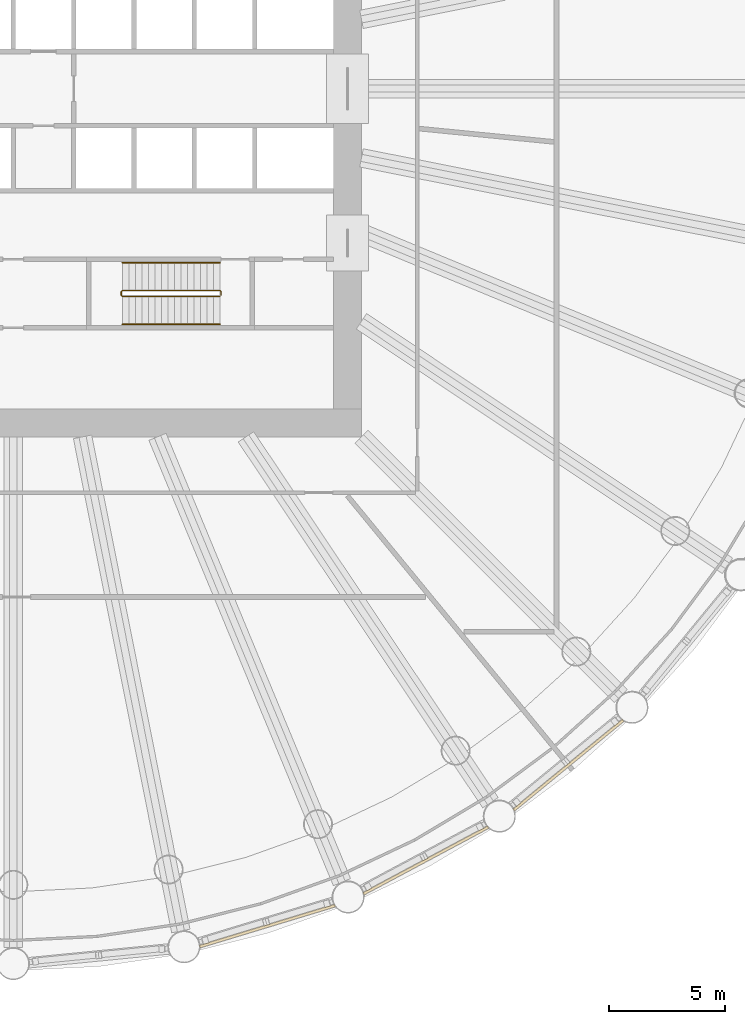
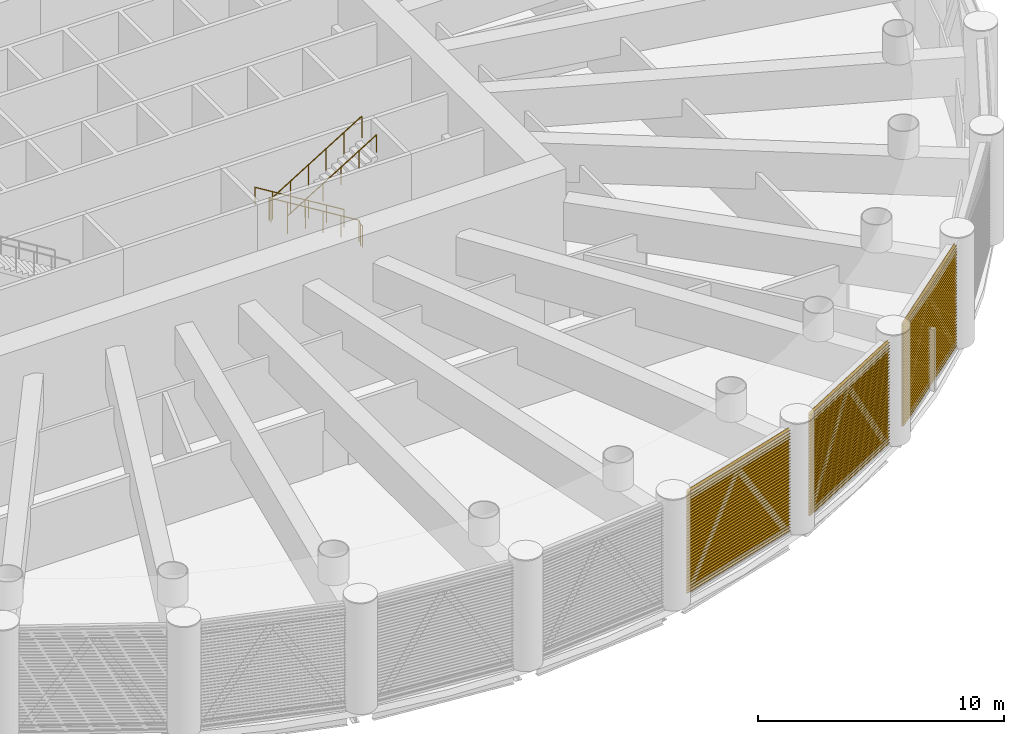
# One storey, part 21 of 26: 3 railings, 3 shading devices, 3 elements without a shape of their own.
"""IFC4 building model written with IfcOpenShell, lengths in metres."""

from ifc_helpers import new_model, si_unit, direction, frame, origin, origin_2d, place, context, subcontext, project, spatial, polyline, circle, outline, extrude, material, material_profile, profile_set, type_object, element, aggregate, save


model = new_model("IFC4")

# Units and contexts
model_context = context("Model", 3, precision=1e-05, world=origin(), true_north=direction((0.0, 1.0)))
body_context = subcontext(model_context, "Body", "Model", "MODEL_VIEW")
ifc_project = project(units=[si_unit("LENGTHUNIT", "METRE"), si_unit("AREAUNIT", "SQUARE_METRE"), si_unit("VOLUMEUNIT", "CUBIC_METRE"), si_unit("PLANEANGLEUNIT", "RADIAN"), si_unit("MASSUNIT", "GRAM", prefix="KILO")], contexts=[model_context])

# Site, building, storey
site_placement = place(None, origin())
site = spatial("IfcSite", under=ifc_project, at=site_placement, CompositionType="ELEMENT")
building_placement = place(site_placement, origin())
building = spatial("IfcBuilding", under=site, at=building_placement, Name="Corvane Civic Tower", CompositionType="ELEMENT")
storey_placement = place(building_placement, frame((0.0, 0.0, 85.0)))
storey = spatial("IfcBuildingStorey", under=building, at=storey_placement, Name="L19", CompositionType="ELEMENT", Elevation=85.0)

# Railings
ifc_material_1 = material(Name="Steel ASTM A572 Gr 50", Category="steel")
railing_type_1 = type_object("IfcRailingType", Name="ST-GUARD-1100", PredefinedType="GUARDRAIL", material=ifc_material_1)
railing_1_placement = place(storey_placement, frame((8.949951171875, -8.89990234375, 0.0)))
element("IfcRailing", 1, at=railing_1_placement, inside=storey, type_object=railing_type_1, Name="L19 ST2 stair guard 1", PredefinedType="GUARDRAIL", context=body_context, shape_type="SweptSolid", body=[
    extrude(circle(Radius=0.02392578125, at=origin_2d()), frame((0.0, 0.0, 1.076171875), z_axis=(0.0, 1.0, 0.0), x_axis=(-1.0, 0.0, 0.0)), (0.0, 0.0, 1.0), 0.14990234375),
    extrude(circle(Radius=0.02392578125, at=origin_2d()), frame((0.0, 0.14990234375, 1.076171875), z_axis=(-0.269255725606, 0.269255725606, 0.92466356501), x_axis=(-0.707106781187, -0.707106781187, 0.0)), (0.0, 0.0, 1.0), 0.185791015625),
    extrude(circle(Radius=0.02392578125, at=origin_2d()), frame((-0.050048828125, 0.199951171875, 1.248046875), z_axis=(-0.852242915053, 0.0, 0.523146264196), x_axis=(0.0, -1.0, 0.0)), (0.0, 0.0, 1.0), 4.92822265625),
    extrude(circle(Radius=0.02392578125, at=origin_2d()), frame((-4.25, 0.199951171875, 3.826171875), z_axis=(-0.707106781187, -0.707106781187, 0.0), x_axis=(0.707106781187, -0.707106781187, 0.0)), (0.0, 0.0, 1.0), 0.07080078125),
    extrude(circle(Radius=0.02392578125, at=origin_2d()), frame((-4.300048828125, 0.14990234375, 3.826171875), z_axis=(0.0, -1.0, 0.0), x_axis=(1.0, 0.0, 0.0)), (0.0, 0.0, 1.0), 0.14990234375),
    extrude(circle(Radius=0.02392578125, at=origin_2d()), frame((-4.300048828125, 0.0, 3.826171875), z_axis=(0.269255725606, -0.269255725606, 0.92466356501), x_axis=(0.707106781187, 0.707106781187, 0.0)), (0.0, 0.0, 1.0), 0.185791015625),
    extrude(circle(Radius=0.02392578125, at=origin_2d()), frame((-4.25, -0.050048828125, 3.998046875), z_axis=(0.852242915053, 0.0, 0.523146264196), x_axis=(0.0, 1.0, 0.0)), (0.0, 0.0, 1.0), 4.92822265625),
    extrude(circle(Radius=0.02099609375, at=origin_2d()), origin(), (0.0, 0.0, 1.0), 1.052001953125),
    extrude(circle(Radius=0.02099609375, at=origin_2d()), frame((0.0, 0.14990234375, 0.0)), (0.0, 0.0, 1.0), 1.052001953125),
    extrude(circle(Radius=0.02099609375, at=origin_2d()), frame((-0.050048828125, 0.199951171875, 0.171875)), (0.0, 0.0, 1.0), 1.052001953125),
    extrude(circle(Radius=0.02099609375, at=origin_2d()), frame((-0.89013671875, 0.199951171875, 0.6875)), (0.0, 0.0, 1.0), 1.052001953125),
    extrude(circle(Radius=0.02099609375, at=origin_2d()), frame((-1.72998046875, 0.199951171875, 1.203125)), (0.0, 0.0, 1.0), 1.052001953125),
    extrude(circle(Radius=0.02099609375, at=origin_2d()), frame((-2.570068359375, 0.199951171875, 1.71875)), (0.0, 0.0, 1.0), 1.052001953125),
    extrude(circle(Radius=0.02099609375, at=origin_2d()), frame((-3.409912109375, 0.199951171875, 2.234375)), (0.0, 0.0, 1.0), 1.052001953125),
    extrude(circle(Radius=0.02099609375, at=origin_2d()), frame((-4.25, 0.199951171875, 2.75)), (0.0, 0.0, 1.0), 1.052001953125),
    extrude(circle(Radius=0.02099609375, at=origin_2d()), frame((-4.300048828125, 0.14990234375, 2.75)), (0.0, 0.0, 1.0), 1.052001953125),
    extrude(circle(Radius=0.02099609375, at=origin_2d()), frame((-4.300048828125, 0.0, 2.75)), (0.0, 0.0, 1.0), 1.052001953125),
    extrude(circle(Radius=0.02099609375, at=origin_2d()), frame((-4.25, -0.050048828125, 2.921875)), (0.0, 0.0, 1.0), 1.052001953125),
    extrude(circle(Radius=0.02099609375, at=origin_2d()), frame((-3.409912109375, -0.050048828125, 3.4375)), (0.0, 0.0, 1.0), 1.052001953125),
    extrude(circle(Radius=0.02099609375, at=origin_2d()), frame((-2.570068359375, -0.050048828125, 3.953125)), (0.0, 0.0, 1.0), 1.052001953125),
    extrude(circle(Radius=0.02099609375, at=origin_2d()), frame((-1.72998046875, -0.050048828125, 4.46875)), (0.0, 0.0, 1.0), 1.052001953125),
    extrude(circle(Radius=0.02099609375, at=origin_2d()), frame((-0.89013671875, -0.050048828125, 4.984375)), (0.0, 0.0, 1.0), 1.052001953125),
    extrude(circle(Radius=0.02099609375, at=origin_2d()), frame((-0.050048828125, -0.050048828125, 5.5)), (0.0, 0.0, 1.0), 1.052001953125),
])
ifc_material_2 = material(Name="Steel ASTM A572 Gr 50", Category="steel")
railing_type_2 = type_object("IfcRailingType", Name="ST-HANDRAIL-900", PredefinedType="HANDRAIL", material=ifc_material_2)
railing_2_placement = place(storey_placement, frame((8.89990234375, -7.5, 0.171875)))
element("IfcRailing", 2, at=railing_2_placement, inside=storey, type_object=railing_type_2, Name="L19 ST2 stair handrail 1", PredefinedType="HANDRAIL", context=body_context, shape_type="SweptSolid", body=[
    extrude(circle(Radius=0.02392578125, at=origin_2d()), frame((0.0, 0.0, 0.8759765625), z_axis=(-0.852242915053, 0.0, 0.523146264196), x_axis=(0.0, -1.0, 0.0)), (0.0, 0.0, 1.0), 4.92822265625),
    extrude(circle(Radius=0.02099609375, at=origin_2d()), origin(), (0.0, 0.0, 1.0), 0.851806640625),
    extrude(circle(Radius=0.02099609375, at=origin_2d()), frame((-0.840087890625, 0.0, 0.515625)), (0.0, 0.0, 1.0), 0.851806640625),
    extrude(circle(Radius=0.02099609375, at=origin_2d()), frame((-1.679931640625, 0.0, 1.03125)), (0.0, 0.0, 1.0), 0.851806640625),
    extrude(circle(Radius=0.02099609375, at=origin_2d()), frame((-2.52001953125, 0.0, 1.546875)), (0.0, 0.0, 1.0), 0.851806640625),
    extrude(circle(Radius=0.02099609375, at=origin_2d()), frame((-3.35986328125, 0.0, 2.0625)), (0.0, 0.0, 1.0), 0.851806640625),
    extrude(circle(Radius=0.02099609375, at=origin_2d()), frame((-4.199951171875, 0.0, 2.578125)), (0.0, 0.0, 1.0), 0.851806640625),
])
railing_3_placement = place(storey_placement, frame((4.699951171875, -10.14990234375, 2.921875)))
element("IfcRailing", 3, at=railing_3_placement, inside=storey, type_object=railing_type_2, Name="L19 ST2 stair handrail 2", PredefinedType="HANDRAIL", context=body_context, shape_type="SweptSolid", body=[
    extrude(circle(Radius=0.02392578125, at=origin_2d()), frame((0.0, 0.0, 0.8759765625), z_axis=(0.852242915053, 0.0, 0.523146264196), x_axis=(0.0, 1.0, 0.0)), (0.0, 0.0, 1.0), 4.92822265625),
    extrude(circle(Radius=0.02099609375, at=origin_2d()), origin(), (0.0, 0.0, 1.0), 0.851806640625),
    extrude(circle(Radius=0.02099609375, at=origin_2d()), frame((0.840087890625, 0.0, 0.515625)), (0.0, 0.0, 1.0), 0.851806640625),
    extrude(circle(Radius=0.02099609375, at=origin_2d()), frame((1.679931640625, 0.0, 1.03125)), (0.0, 0.0, 1.0), 0.851806640625),
    extrude(circle(Radius=0.02099609375, at=origin_2d()), frame((2.52001953125, 0.0, 1.546875)), (0.0, 0.0, 1.0), 0.851806640625),
    extrude(circle(Radius=0.02099609375, at=origin_2d()), frame((3.35986328125, 0.0, 2.0625)), (0.0, 0.0, 1.0), 0.851806640625),
    extrude(circle(Radius=0.02099609375, at=origin_2d()), frame((4.199951171875, 0.0, 2.578125)), (0.0, 0.0, 1.0), 0.851806640625),
])

# Curtain wall, shading device
ifc_material_3 = material(Name="Anodised aluminium bronze", Category="aluminium")
curtain_wall_type = type_object("IfcCurtainWallType", Name="TOWER CW-LV LOUVRE SCREEN WALL", PredefinedType="NOTDEFINED", material=ifc_material_3)
curtain_wall_1_placement = place(storey_placement, origin())
curtain_wall_1 = element("IfcCurtainWall", 4, at=curtain_wall_1_placement, inside=storey, type_object=curtain_wall_type, Name="Louvre screen wall CW-LV L19 bay 13", PredefinedType="NOTDEFINED")
ifc_material_4 = material(Name="Anodised aluminium bronze", Category="aluminium")
ifc_material_profile = material_profile(ifc_material_4, outline(polyline([(-0.06005859375, -2.56494140625), (-0.0400390625, -2.56494140625), (0.06005859375, -2.492919921875), (0.06005859375, -2.472900390625), (-0.0400390625, -2.544921875), (-0.0400390625, -2.4140625), (0.06005859375, -2.342041015625), (0.06005859375, -2.322021484375), (-0.0400390625, -2.39404296875), (-0.0400390625, -2.26318359375), (0.06005859375, -2.191162109375), (0.06005859375, -2.171142578125), (-0.0400390625, -2.2431640625), (-0.0400390625, -2.1123046875), (0.06005859375, -2.040283203125), (0.06005859375, -2.0205078125), (-0.0400390625, -2.09228515625), (-0.0400390625, -1.96142578125), (0.06005859375, -1.889404296875), (0.06005859375, -1.869384765625), (-0.0400390625, -1.94140625), (-0.0400390625, -1.810546875), (0.06005859375, -1.738525390625), (0.06005859375, -1.718505859375), (-0.0400390625, -1.79052734375), (-0.0400390625, -1.65966796875), (0.06005859375, -1.587646484375), (0.06005859375, -1.567626953125), (-0.0400390625, -1.6396484375), (-0.0400390625, -1.5087890625), (0.06005859375, -1.436767578125), (0.06005859375, -1.416748046875), (-0.0400390625, -1.48876953125), (-0.0400390625, -1.35791015625), (0.06005859375, -1.285888671875), (0.06005859375, -1.265869140625), (-0.0400390625, -1.337890625), (-0.0400390625, -1.20703125), (0.06005859375, -1.135009765625), (0.06005859375, -1.114990234375), (-0.0400390625, -1.18701171875), (-0.0400390625, -1.05615234375), (0.06005859375, -0.984130859375), (0.06005859375, -0.964111328125), (-0.0400390625, -1.0361328125), (-0.0400390625, -0.9052734375), (0.06005859375, -0.833251953125), (0.06005859375, -0.813232421875), (-0.0400390625, -0.88525390625), (-0.0400390625, -0.75439453125), (0.06005859375, -0.682373046875), (0.06005859375, -0.662353515625), (-0.0400390625, -0.734375), (-0.0400390625, -0.603515625), (0.06005859375, -0.531494140625), (0.06005859375, -0.511474609375), (-0.0400390625, -0.58349609375), (-0.0400390625, -0.45263671875), (0.06005859375, -0.380615234375), (0.06005859375, -0.360595703125), (-0.0400390625, -0.4326171875), (-0.0400390625, -0.3017578125), (0.06005859375, -0.229736328125), (0.06005859375, -0.209716796875), (-0.0400390625, -0.28173828125), (-0.0400390625, -0.15087890625), (0.06005859375, -0.078857421875), (0.06005859375, -0.058837890625), (-0.0400390625, -0.130859375), (-0.0400390625, 0.0), (0.06005859375, 0.072021484375), (0.06005859375, 0.092041015625), (-0.0400390625, 0.02001953125), (-0.0400390625, 0.15087890625), (0.06005859375, 0.222900390625), (0.06005859375, 0.242919921875), (-0.0400390625, 0.1708984375), (-0.0400390625, 0.3017578125), (0.06005859375, 0.373779296875), (0.06005859375, 0.393798828125), (-0.0400390625, 0.32177734375), (-0.0400390625, 0.45263671875), (0.06005859375, 0.524658203125), (0.06005859375, 0.544677734375), (-0.0400390625, 0.47265625), (-0.0400390625, 0.603515625), (0.06005859375, 0.675537109375), (0.06005859375, 0.695556640625), (-0.0400390625, 0.62353515625), (-0.0400390625, 0.75439453125), (0.06005859375, 0.826416015625), (0.06005859375, 0.846435546875), (-0.0400390625, 0.7744140625), (-0.0400390625, 0.9052734375), (0.06005859375, 0.977294921875), (0.06005859375, 0.997314453125), (-0.0400390625, 0.92529296875), (-0.0400390625, 1.05615234375), (0.06005859375, 1.128173828125), (0.06005859375, 1.148193359375), (-0.0400390625, 1.076171875), (-0.0400390625, 1.20703125), (0.06005859375, 1.279052734375), (0.06005859375, 1.299072265625), (-0.0400390625, 1.22705078125), (-0.0400390625, 1.35791015625), (0.06005859375, 1.429931640625), (0.06005859375, 1.449951171875), (-0.0400390625, 1.3779296875), (-0.0400390625, 1.5087890625), (0.06005859375, 1.580810546875), (0.06005859375, 1.600830078125), (-0.0400390625, 1.52880859375), (-0.0400390625, 1.65966796875), (0.06005859375, 1.731689453125), (0.06005859375, 1.751708984375), (-0.0400390625, 1.6796875), (-0.0400390625, 1.810546875), (0.06005859375, 1.882568359375), (0.06005859375, 1.902587890625), (-0.0400390625, 1.83056640625), (-0.0400390625, 1.96142578125), (0.06005859375, 2.033447265625), (0.06005859375, 2.053466796875), (-0.0400390625, 1.9814453125), (-0.0400390625, 2.1123046875), (0.06005859375, 2.184326171875), (0.06005859375, 2.204345703125), (-0.0400390625, 2.13232421875), (-0.0400390625, 2.26318359375), (0.06005859375, 2.335205078125), (0.06005859375, 2.355224609375), (-0.0400390625, 2.283203125), (-0.0400390625, 2.4140625), (0.06005859375, 2.486083984375), (0.06005859375, 2.506103515625), (-0.0400390625, 2.43408203125), (-0.0400390625, 2.56494140625), (-0.06005859375, 2.56494140625), (-0.06005859375, -2.56494140625)])), Name="TOWER LOUVRE BANK 5130 BRONZE")
ifc_profile_set = profile_set([ifc_material_profile], Name="Anodised aluminium bronze")
shading_device_type = type_object("IfcShadingDeviceType", Name="TOWER LOUVRE BANK 5130 BRONZE", PredefinedType="USERDEFINED", material=ifc_profile_set)
shading_device_1_placement = place(storey_placement, frame((26.271728515625, -27.20654296875, 2.68505859375), z_axis=(-0.77301446029, -0.634388401677, 0.0), x_axis=(0.634388401677, -0.77301446029, 0.0)))
shading_device_1 = element("IfcShadingDevice", 5, at=shading_device_1_placement, type_object=shading_device_type, Name="Louvre bank L19 13.1", ObjectType="LOUVRE", PredefinedType="USERDEFINED", context=body_context, shape_type="SweptSolid", body=[
    extrude(outline(polyline([(-0.06005859375, -2.56494140625), (-0.0400390625, -2.56494140625), (0.06005859375, -2.492919921875), (0.06005859375, -2.472900390625), (-0.0400390625, -2.544921875), (-0.0400390625, -2.4140625), (0.06005859375, -2.342041015625), (0.06005859375, -2.322021484375), (-0.0400390625, -2.39404296875), (-0.0400390625, -2.26318359375), (0.06005859375, -2.191162109375), (0.06005859375, -2.171142578125), (-0.0400390625, -2.2431640625), (-0.0400390625, -2.1123046875), (0.06005859375, -2.040283203125), (0.06005859375, -2.0205078125), (-0.0400390625, -2.09228515625), (-0.0400390625, -1.96142578125), (0.06005859375, -1.889404296875), (0.06005859375, -1.869384765625), (-0.0400390625, -1.94140625), (-0.0400390625, -1.810546875), (0.06005859375, -1.738525390625), (0.06005859375, -1.718505859375), (-0.0400390625, -1.79052734375), (-0.0400390625, -1.65966796875), (0.06005859375, -1.587646484375), (0.06005859375, -1.567626953125), (-0.0400390625, -1.6396484375), (-0.0400390625, -1.5087890625), (0.06005859375, -1.436767578125), (0.06005859375, -1.416748046875), (-0.0400390625, -1.48876953125), (-0.0400390625, -1.35791015625), (0.06005859375, -1.285888671875), (0.06005859375, -1.265869140625), (-0.0400390625, -1.337890625), (-0.0400390625, -1.20703125), (0.06005859375, -1.135009765625), (0.06005859375, -1.114990234375), (-0.0400390625, -1.18701171875), (-0.0400390625, -1.05615234375), (0.06005859375, -0.984130859375), (0.06005859375, -0.964111328125), (-0.0400390625, -1.0361328125), (-0.0400390625, -0.9052734375), (0.06005859375, -0.833251953125), (0.06005859375, -0.813232421875), (-0.0400390625, -0.88525390625), (-0.0400390625, -0.75439453125), (0.06005859375, -0.682373046875), (0.06005859375, -0.662353515625), (-0.0400390625, -0.734375), (-0.0400390625, -0.603515625), (0.06005859375, -0.531494140625), (0.06005859375, -0.511474609375), (-0.0400390625, -0.58349609375), (-0.0400390625, -0.45263671875), (0.06005859375, -0.380615234375), (0.06005859375, -0.360595703125), (-0.0400390625, -0.4326171875), (-0.0400390625, -0.3017578125), (0.06005859375, -0.229736328125), (0.06005859375, -0.209716796875), (-0.0400390625, -0.28173828125), (-0.0400390625, -0.15087890625), (0.06005859375, -0.078857421875), (0.06005859375, -0.058837890625), (-0.0400390625, -0.130859375), (-0.0400390625, 0.0), (0.06005859375, 0.072021484375), (0.06005859375, 0.092041015625), (-0.0400390625, 0.02001953125), (-0.0400390625, 0.15087890625), (0.06005859375, 0.222900390625), (0.06005859375, 0.242919921875), (-0.0400390625, 0.1708984375), (-0.0400390625, 0.3017578125), (0.06005859375, 0.373779296875), (0.06005859375, 0.393798828125), (-0.0400390625, 0.32177734375), (-0.0400390625, 0.45263671875), (0.06005859375, 0.524658203125), (0.06005859375, 0.544677734375), (-0.0400390625, 0.47265625), (-0.0400390625, 0.603515625), (0.06005859375, 0.675537109375), (0.06005859375, 0.695556640625), (-0.0400390625, 0.62353515625), (-0.0400390625, 0.75439453125), (0.06005859375, 0.826416015625), (0.06005859375, 0.846435546875), (-0.0400390625, 0.7744140625), (-0.0400390625, 0.9052734375), (0.06005859375, 0.977294921875), (0.06005859375, 0.997314453125), (-0.0400390625, 0.92529296875), (-0.0400390625, 1.05615234375), (0.06005859375, 1.128173828125), (0.06005859375, 1.148193359375), (-0.0400390625, 1.076171875), (-0.0400390625, 1.20703125), (0.06005859375, 1.279052734375), (0.06005859375, 1.299072265625), (-0.0400390625, 1.22705078125), (-0.0400390625, 1.35791015625), (0.06005859375, 1.429931640625), (0.06005859375, 1.449951171875), (-0.0400390625, 1.3779296875), (-0.0400390625, 1.5087890625), (0.06005859375, 1.580810546875), (0.06005859375, 1.600830078125), (-0.0400390625, 1.52880859375), (-0.0400390625, 1.65966796875), (0.06005859375, 1.731689453125), (0.06005859375, 1.751708984375), (-0.0400390625, 1.6796875), (-0.0400390625, 1.810546875), (0.06005859375, 1.882568359375), (0.06005859375, 1.902587890625), (-0.0400390625, 1.83056640625), (-0.0400390625, 1.96142578125), (0.06005859375, 2.033447265625), (0.06005859375, 2.053466796875), (-0.0400390625, 1.9814453125), (-0.0400390625, 2.1123046875), (0.06005859375, 2.184326171875), (0.06005859375, 2.204345703125), (-0.0400390625, 2.13232421875), (-0.0400390625, 2.26318359375), (0.06005859375, 2.335205078125), (0.06005859375, 2.355224609375), (-0.0400390625, 2.283203125), (-0.0400390625, 2.4140625), (0.06005859375, 2.486083984375), (0.06005859375, 2.506103515625), (-0.0400390625, 2.43408203125), (-0.0400390625, 2.56494140625), (-0.06005859375, 2.56494140625), (-0.06005859375, -2.56494140625)])), origin(), (0.0, 0.0, 1.0), 6.09716796875),
])
aggregate(curtain_wall_1, [shading_device_1])

curtain_wall_2_placement = place(storey_placement, origin())
curtain_wall_2 = element("IfcCurtainWall", 6, at=curtain_wall_2_placement, inside=storey, type_object=curtain_wall_type, Name="Louvre screen wall CW-LV L19 bay 14", PredefinedType="NOTDEFINED")
shading_device_2_placement = place(storey_placement, frame((20.459228515625, -31.809326171875, 2.68505859375), z_axis=(-0.881931381664, -0.47137780817, 0.0), x_axis=(0.47137780817, -0.881931381664, 0.0)))
shading_device_2 = element("IfcShadingDevice", 7, at=shading_device_2_placement, type_object=shading_device_type, Name="Louvre bank L19 14.1", ObjectType="LOUVRE", PredefinedType="USERDEFINED", context=body_context, shape_type="SweptSolid", body=[
    extrude(outline(polyline([(-0.06005859375, -2.56494140625), (-0.0400390625, -2.56494140625), (0.06005859375, -2.492919921875), (0.06005859375, -2.472900390625), (-0.0400390625, -2.544921875), (-0.0400390625, -2.4140625), (0.06005859375, -2.342041015625), (0.06005859375, -2.322021484375), (-0.0400390625, -2.39404296875), (-0.0400390625, -2.26318359375), (0.06005859375, -2.191162109375), (0.06005859375, -2.171142578125), (-0.0400390625, -2.2431640625), (-0.0400390625, -2.1123046875), (0.06005859375, -2.040283203125), (0.06005859375, -2.0205078125), (-0.0400390625, -2.09228515625), (-0.0400390625, -1.96142578125), (0.06005859375, -1.889404296875), (0.06005859375, -1.869384765625), (-0.0400390625, -1.94140625), (-0.0400390625, -1.810546875), (0.06005859375, -1.738525390625), (0.06005859375, -1.718505859375), (-0.0400390625, -1.79052734375), (-0.0400390625, -1.65966796875), (0.06005859375, -1.587646484375), (0.06005859375, -1.567626953125), (-0.0400390625, -1.6396484375), (-0.0400390625, -1.5087890625), (0.06005859375, -1.436767578125), (0.06005859375, -1.416748046875), (-0.0400390625, -1.48876953125), (-0.0400390625, -1.35791015625), (0.06005859375, -1.285888671875), (0.06005859375, -1.265869140625), (-0.0400390625, -1.337890625), (-0.0400390625, -1.20703125), (0.06005859375, -1.135009765625), (0.06005859375, -1.114990234375), (-0.0400390625, -1.18701171875), (-0.0400390625, -1.05615234375), (0.06005859375, -0.984130859375), (0.06005859375, -0.964111328125), (-0.0400390625, -1.0361328125), (-0.0400390625, -0.9052734375), (0.06005859375, -0.833251953125), (0.06005859375, -0.813232421875), (-0.0400390625, -0.88525390625), (-0.0400390625, -0.75439453125), (0.06005859375, -0.682373046875), (0.06005859375, -0.662353515625), (-0.0400390625, -0.734375), (-0.0400390625, -0.603515625), (0.06005859375, -0.531494140625), (0.06005859375, -0.511474609375), (-0.0400390625, -0.58349609375), (-0.0400390625, -0.45263671875), (0.06005859375, -0.380615234375), (0.06005859375, -0.360595703125), (-0.0400390625, -0.4326171875), (-0.0400390625, -0.3017578125), (0.06005859375, -0.229736328125), (0.06005859375, -0.209716796875), (-0.0400390625, -0.28173828125), (-0.0400390625, -0.15087890625), (0.06005859375, -0.078857421875), (0.06005859375, -0.058837890625), (-0.0400390625, -0.130859375), (-0.0400390625, 0.0), (0.06005859375, 0.072021484375), (0.06005859375, 0.092041015625), (-0.0400390625, 0.02001953125), (-0.0400390625, 0.15087890625), (0.06005859375, 0.222900390625), (0.06005859375, 0.242919921875), (-0.0400390625, 0.1708984375), (-0.0400390625, 0.3017578125), (0.06005859375, 0.373779296875), (0.06005859375, 0.393798828125), (-0.0400390625, 0.32177734375), (-0.0400390625, 0.45263671875), (0.06005859375, 0.524658203125), (0.06005859375, 0.544677734375), (-0.0400390625, 0.47265625), (-0.0400390625, 0.603515625), (0.06005859375, 0.675537109375), (0.06005859375, 0.695556640625), (-0.0400390625, 0.62353515625), (-0.0400390625, 0.75439453125), (0.06005859375, 0.826416015625), (0.06005859375, 0.846435546875), (-0.0400390625, 0.7744140625), (-0.0400390625, 0.9052734375), (0.06005859375, 0.977294921875), (0.06005859375, 0.997314453125), (-0.0400390625, 0.92529296875), (-0.0400390625, 1.05615234375), (0.06005859375, 1.128173828125), (0.06005859375, 1.148193359375), (-0.0400390625, 1.076171875), (-0.0400390625, 1.20703125), (0.06005859375, 1.279052734375), (0.06005859375, 1.299072265625), (-0.0400390625, 1.22705078125), (-0.0400390625, 1.35791015625), (0.06005859375, 1.429931640625), (0.06005859375, 1.449951171875), (-0.0400390625, 1.3779296875), (-0.0400390625, 1.5087890625), (0.06005859375, 1.580810546875), (0.06005859375, 1.600830078125), (-0.0400390625, 1.52880859375), (-0.0400390625, 1.65966796875), (0.06005859375, 1.731689453125), (0.06005859375, 1.751708984375), (-0.0400390625, 1.6796875), (-0.0400390625, 1.810546875), (0.06005859375, 1.882568359375), (0.06005859375, 1.902587890625), (-0.0400390625, 1.83056640625), (-0.0400390625, 1.96142578125), (0.06005859375, 2.033447265625), (0.06005859375, 2.053466796875), (-0.0400390625, 1.9814453125), (-0.0400390625, 2.1123046875), (0.06005859375, 2.184326171875), (0.06005859375, 2.204345703125), (-0.0400390625, 2.13232421875), (-0.0400390625, 2.26318359375), (0.06005859375, 2.335205078125), (0.06005859375, 2.355224609375), (-0.0400390625, 2.283203125), (-0.0400390625, 2.4140625), (0.06005859375, 2.486083984375), (0.06005859375, 2.506103515625), (-0.0400390625, 2.43408203125), (-0.0400390625, 2.56494140625), (-0.06005859375, 2.56494140625), (-0.06005859375, -2.56494140625)])), origin(), (0.0, 0.0, 1.0), 6.09716796875),
])
aggregate(curtain_wall_2, [shading_device_2])

curtain_wall_3_placement = place(storey_placement, origin())
curtain_wall_3 = element("IfcCurtainWall", 8, at=curtain_wall_3_placement, inside=storey, type_object=curtain_wall_type, Name="Louvre screen wall CW-LV L19 bay 15", PredefinedType="NOTDEFINED")
shading_device_3_placement = place(storey_placement, frame((13.8603515625, -35.189453125, 2.68505859375), z_axis=(-0.956944551866, -0.29027077816, 0.0), x_axis=(0.29027077816, -0.956944551866, 0.0)))
shading_device_3 = element("IfcShadingDevice", 9, at=shading_device_3_placement, type_object=shading_device_type, Name="Louvre bank L19 15.1", ObjectType="LOUVRE", PredefinedType="USERDEFINED", context=body_context, shape_type="SweptSolid", body=[
    extrude(outline(polyline([(-0.06005859375, -2.56494140625), (-0.0400390625, -2.56494140625), (0.06005859375, -2.492919921875), (0.06005859375, -2.472900390625), (-0.0400390625, -2.544921875), (-0.0400390625, -2.4140625), (0.06005859375, -2.342041015625), (0.06005859375, -2.322021484375), (-0.0400390625, -2.39404296875), (-0.0400390625, -2.26318359375), (0.06005859375, -2.191162109375), (0.06005859375, -2.171142578125), (-0.0400390625, -2.2431640625), (-0.0400390625, -2.1123046875), (0.06005859375, -2.040283203125), (0.06005859375, -2.0205078125), (-0.0400390625, -2.09228515625), (-0.0400390625, -1.96142578125), (0.06005859375, -1.889404296875), (0.06005859375, -1.869384765625), (-0.0400390625, -1.94140625), (-0.0400390625, -1.810546875), (0.06005859375, -1.738525390625), (0.06005859375, -1.718505859375), (-0.0400390625, -1.79052734375), (-0.0400390625, -1.65966796875), (0.06005859375, -1.587646484375), (0.06005859375, -1.567626953125), (-0.0400390625, -1.6396484375), (-0.0400390625, -1.5087890625), (0.06005859375, -1.436767578125), (0.06005859375, -1.416748046875), (-0.0400390625, -1.48876953125), (-0.0400390625, -1.35791015625), (0.06005859375, -1.285888671875), (0.06005859375, -1.265869140625), (-0.0400390625, -1.337890625), (-0.0400390625, -1.20703125), (0.06005859375, -1.135009765625), (0.06005859375, -1.114990234375), (-0.0400390625, -1.18701171875), (-0.0400390625, -1.05615234375), (0.06005859375, -0.984130859375), (0.06005859375, -0.964111328125), (-0.0400390625, -1.0361328125), (-0.0400390625, -0.9052734375), (0.06005859375, -0.833251953125), (0.06005859375, -0.813232421875), (-0.0400390625, -0.88525390625), (-0.0400390625, -0.75439453125), (0.06005859375, -0.682373046875), (0.06005859375, -0.662353515625), (-0.0400390625, -0.734375), (-0.0400390625, -0.603515625), (0.06005859375, -0.531494140625), (0.06005859375, -0.511474609375), (-0.0400390625, -0.58349609375), (-0.0400390625, -0.45263671875), (0.06005859375, -0.380615234375), (0.06005859375, -0.360595703125), (-0.0400390625, -0.4326171875), (-0.0400390625, -0.3017578125), (0.06005859375, -0.229736328125), (0.06005859375, -0.209716796875), (-0.0400390625, -0.28173828125), (-0.0400390625, -0.15087890625), (0.06005859375, -0.078857421875), (0.06005859375, -0.058837890625), (-0.0400390625, -0.130859375), (-0.0400390625, 0.0), (0.06005859375, 0.072021484375), (0.06005859375, 0.092041015625), (-0.0400390625, 0.02001953125), (-0.0400390625, 0.15087890625), (0.06005859375, 0.222900390625), (0.06005859375, 0.242919921875), (-0.0400390625, 0.1708984375), (-0.0400390625, 0.3017578125), (0.06005859375, 0.373779296875), (0.06005859375, 0.393798828125), (-0.0400390625, 0.32177734375), (-0.0400390625, 0.45263671875), (0.06005859375, 0.524658203125), (0.06005859375, 0.544677734375), (-0.0400390625, 0.47265625), (-0.0400390625, 0.603515625), (0.06005859375, 0.675537109375), (0.06005859375, 0.695556640625), (-0.0400390625, 0.62353515625), (-0.0400390625, 0.75439453125), (0.06005859375, 0.826416015625), (0.06005859375, 0.846435546875), (-0.0400390625, 0.7744140625), (-0.0400390625, 0.9052734375), (0.06005859375, 0.977294921875), (0.06005859375, 0.997314453125), (-0.0400390625, 0.92529296875), (-0.0400390625, 1.05615234375), (0.06005859375, 1.128173828125), (0.06005859375, 1.148193359375), (-0.0400390625, 1.076171875), (-0.0400390625, 1.20703125), (0.06005859375, 1.279052734375), (0.06005859375, 1.299072265625), (-0.0400390625, 1.22705078125), (-0.0400390625, 1.35791015625), (0.06005859375, 1.429931640625), (0.06005859375, 1.449951171875), (-0.0400390625, 1.3779296875), (-0.0400390625, 1.5087890625), (0.06005859375, 1.580810546875), (0.06005859375, 1.600830078125), (-0.0400390625, 1.52880859375), (-0.0400390625, 1.65966796875), (0.06005859375, 1.731689453125), (0.06005859375, 1.751708984375), (-0.0400390625, 1.6796875), (-0.0400390625, 1.810546875), (0.06005859375, 1.882568359375), (0.06005859375, 1.902587890625), (-0.0400390625, 1.83056640625), (-0.0400390625, 1.96142578125), (0.06005859375, 2.033447265625), (0.06005859375, 2.053466796875), (-0.0400390625, 1.9814453125), (-0.0400390625, 2.1123046875), (0.06005859375, 2.184326171875), (0.06005859375, 2.204345703125), (-0.0400390625, 2.13232421875), (-0.0400390625, 2.26318359375), (0.06005859375, 2.335205078125), (0.06005859375, 2.355224609375), (-0.0400390625, 2.283203125), (-0.0400390625, 2.4140625), (0.06005859375, 2.486083984375), (0.06005859375, 2.506103515625), (-0.0400390625, 2.43408203125), (-0.0400390625, 2.56494140625), (-0.06005859375, 2.56494140625), (-0.06005859375, -2.56494140625)])), origin(), (0.0, 0.0, 1.0), 6.096923828125),
])
aggregate(curtain_wall_3, [shading_device_3])

save(model, "model.ifc")
